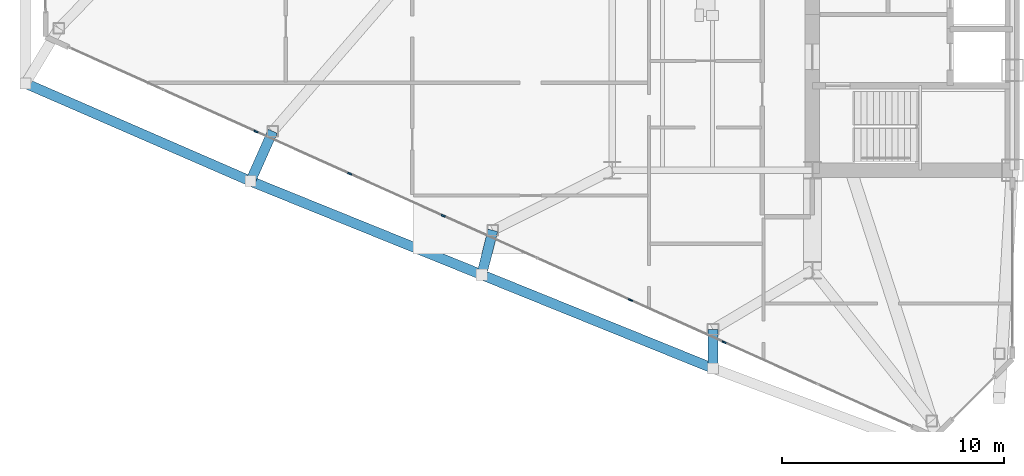
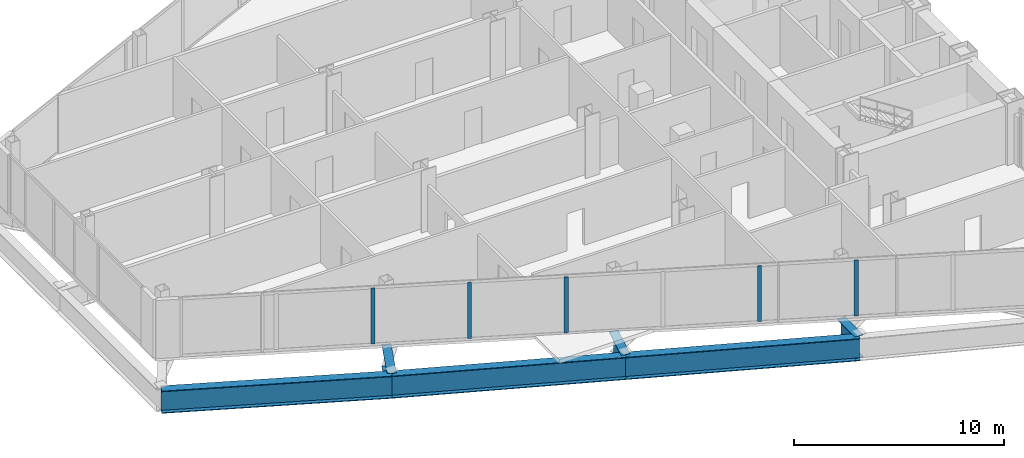
# One storey, part 3 of 29: 6 beams, 5 members, 1 element without a shape of its own.
"""IFC4 building model written with IfcOpenShell, lengths in metres."""

from ifc_helpers import new_model, si_unit, direction, frame, origin, origin_2d, place, context, subcontext, project, spatial, rectangle, i_section, extrude, source, transform, mapped, material, layer, layer_set, material_profile, profile_set, type_object, type_shapes, element, aggregate, save


model = new_model("IFC4")

# Units and contexts
model_context = context("Model", 3, precision=1e-05, world=origin(), true_north=direction((0.0, 1.0)))
body_context = subcontext(model_context, "Body", "Model", "MODEL_VIEW")
ifc_project = project(units=[si_unit("LENGTHUNIT", "METRE"), si_unit("AREAUNIT", "SQUARE_METRE"), si_unit("VOLUMEUNIT", "CUBIC_METRE"), si_unit("PLANEANGLEUNIT", "RADIAN"), si_unit("MASSUNIT", "GRAM", prefix="KILO")], contexts=[model_context])

# Site, building, storey
site_placement = place(None, origin())
site = spatial("IfcSite", under=ifc_project, at=site_placement, CompositionType="ELEMENT")
building_placement = place(site_placement, origin())
building = spatial("IfcBuilding", under=site, at=building_placement, Name="Seokmaru Belvedere", CompositionType="ELEMENT")
storey_placement = place(building_placement, frame((0.0, 0.0, 62.10009765625)))
storey = spatial("IfcBuildingStorey", under=building, at=storey_placement, Name="L16", CompositionType="ELEMENT", Elevation=62.10009765625)

# Beams
ifc_material_1 = material(Name="Steel HSA650 (650 MPa)", Category="steel")
ifc_material_profile_1 = material_profile(ifc_material_1, i_section(OverallWidth=0.449951171875, OverallDepth=1.300048828125, WebThickness=0.02197265625, FlangeThickness=0.0380859375, at=origin_2d()), Name="BH-1300x450x22x38")
ifc_profile_set_1 = profile_set([ifc_material_profile_1], Name="Steel HSA650 (650 MPa)")
beam_type = type_object("IfcBeamType", Name="Observatory Long-Span Roof Girder BH-1300", PredefinedType="BEAM", material=ifc_profile_set_1)
shared_shape_1 = source(origin(), body_context, "Body", "SweptSolid", [
    extrude(i_section(OverallWidth=0.449951171875, OverallDepth=1.300048828125, WebThickness=0.02197265625, FlangeThickness=0.0380859375, at=origin_2d()), origin(), (0.0, 0.0, 1.0), 11.220703125),
])
for number, where, z_axis, x_axis, name in (
    (1, (-40.977294921875, -22.4140625, -0.8701171875), (-0.926944290816, 0.375198989503, 0.0), (-0.375198989503, -0.926944290816, 0.0), "L16 W Faceted Flank Spandrel S-2"),
    (2, (-51.378173828125, -18.2041015625, -0.8701171875), (-0.926944290816, 0.375198989503, 0.0), (-0.375198989503, -0.926944290816, 0.0), "L16 W Faceted Flank Spandrel S-3"),
):
    element("IfcBeam", number, at=place(storey_placement, frame(where, z_axis=z_axis, x_axis=x_axis)), inside=storey, type_object=beam_type, Name=name, PredefinedType="BEAM", context=body_context, shape_type="MappedRepresentation", body=[
        mapped(shared_shape_1, transform((0.0, 0.0, 0.0), scale=1.0)),
    ])
shared_shape_2 = source(origin(), body_context, "Body", "SweptSolid", [
    extrude(i_section(OverallWidth=0.449951171875, OverallDepth=1.300048828125, WebThickness=0.02197265625, FlangeThickness=0.0380859375, at=origin_2d()), origin(), (0.0, 0.0, 1.0), 11.035400390625),
])
beam_1_placement = place(storey_placement, frame((-61.779052734375, -13.994140625, -0.8701171875), z_axis=(-0.917134058682, 0.398578873507, 0.0), x_axis=(-0.398578873507, -0.917134058682, 0.0)))
element("IfcBeam", 3, at=beam_1_placement, inside=storey, type_object=beam_type, Name="L16 W Faceted Flank Spandrel S-4", PredefinedType="BEAM", context=body_context, shape_type="MappedRepresentation", body=[
    mapped(shared_shape_2, transform((0.0, 0.0, 0.0), scale=1.0)),
])
shared_shape_3 = source(origin(), body_context, "Body", "SweptSolid", [
    extrude(i_section(OverallWidth=0.449951171875, OverallDepth=1.300048828125, WebThickness=0.02197265625, FlangeThickness=0.0380859375, at=origin_2d()), origin(), (0.0, 0.0, 1.0), 1.752685546875),
])
beam_2_placement = place(storey_placement, frame((-40.977294921875, -22.4140625, -0.8701171875), z_axis=(0.002646598894, 0.999996497751, 0.0), x_axis=(-0.999996497751, 0.002646598894, 0.0)))
element("IfcBeam", 4, at=beam_2_placement, inside=storey, type_object=beam_type, Name="L16 W Flank Setback Step Girder S-1", PredefinedType="BEAM", context=body_context, shape_type="MappedRepresentation", body=[
    mapped(shared_shape_3, transform((0.0, 0.0, 0.0), scale=1.0)),
])
shared_shape_4 = source(origin(), body_context, "Body", "SweptSolid", [
    extrude(i_section(OverallWidth=0.449951171875, OverallDepth=1.300048828125, WebThickness=0.02197265625, FlangeThickness=0.0380859375, at=origin_2d()), origin(), (0.0, 0.0, 1.0), 2.06103515625),
])
beam_3_placement = place(storey_placement, frame((-51.378173828125, -18.2041015625, -0.8701171875), z_axis=(0.244123913396, 0.96974404608, 0.0), x_axis=(-0.96974404608, 0.244123913396, 0.0)))
element("IfcBeam", 5, at=beam_3_placement, inside=storey, type_object=beam_type, Name="L16 W Flank Setback Step Girder S-2", PredefinedType="BEAM", context=body_context, shape_type="MappedRepresentation", body=[
    mapped(shared_shape_4, transform((0.0, 0.0, 0.0), scale=1.0)),
])
shared_shape_5 = source(origin(), body_context, "Body", "SweptSolid", [
    extrude(i_section(OverallWidth=0.449951171875, OverallDepth=1.300048828125, WebThickness=0.02197265625, FlangeThickness=0.0380859375, at=origin_2d()), origin(), (0.0, 0.0, 1.0), 2.4580078125),
])
type_shapes(beam_type, [shared_shape_1, shared_shape_2, shared_shape_3, shared_shape_4, shared_shape_5])
beam_4_placement = place(storey_placement, frame((-61.779052734375, -13.994140625, -0.8701171875), z_axis=(0.407409775642, 0.913245462464, 0.0), x_axis=(-0.913245462464, 0.407409775642, 0.0)))
element("IfcBeam", 6, at=beam_4_placement, inside=storey, type_object=beam_type, Name="L16 W Flank Setback Step Girder S-3", PredefinedType="BEAM", context=body_context, shape_type="MappedRepresentation", body=[
    mapped(shared_shape_5, transform((0.0, 0.0, 0.0), scale=1.0)),
])

# Curtain wall, members
ifc_material_2 = material(Name="Bronze Triple Insulating Glass", Category="glass")
ifc_layer = layer(ifc_material_2, 0.195068359375)
ifc_layer_set = layer_set([ifc_layer], Name="Bronze Triple Insulating Glass")
curtain_wall_type = type_object("IfcCurtainWallType", Name="Lower-Mid Tapered Curtain Wall System CW-3", PredefinedType="NOTDEFINED", material=ifc_layer_set)
curtain_wall_placement = place(storey_placement, origin())
curtain_wall = element("IfcCurtainWall", 7, at=curtain_wall_placement, inside=storey, type_object=curtain_wall_type, Name="L16 Curtain Wall WF5", PredefinedType="NOTDEFINED")
ifc_material_3 = material(Name="Anodised Bronze Aluminium", Category="aluminium")
ifc_material_profile_2 = material_profile(ifc_material_3, rectangle(XDim=0.070068359375, YDim=0.195068359375, at=origin_2d()), Name="CW-M-70x195")
ifc_profile_set_2 = profile_set([ifc_material_profile_2], Name="Anodised Bronze Aluminium")
member_type = type_object("IfcMemberType", Name="Bronze Unitised Mullion 70x195", PredefinedType="MULLION", material=ifc_profile_set_2)
shared_shape_6 = source(origin(), body_context, "Body", "SweptSolid", [
    extrude(rectangle(XDim=0.070068359375, YDim=0.195068359375, at=origin_2d()), origin(), (0.0, 0.0, 1.0), 3.239990234375),
])
type_shapes(member_type, [shared_shape_6])
member_1_placement = place(storey_placement, frame((-61.528564453125, -11.76220703125, 0.06982421875), z_axis=(0.0, 0.0, 1.0), x_axis=(0.41036554765, 0.91192111353, 0.0)))
member_1 = element("IfcMember", 8, at=member_1_placement, type_object=member_type, Name="CW:L16:WF5 Mullion 3", PredefinedType="MULLION", context=body_context, shape_type="MappedRepresentation", body=[
    mapped(shared_shape_6, transform((0.0, 0.0, 0.0), scale=1.0)),
])
member_2_placement = place(storey_placement, frame((-57.317138671875, -13.6572265625, 0.06982421875), z_axis=(0.0, 0.0, 1.0), x_axis=(0.41036554765, 0.91192111353, 0.0)))
member_2 = element("IfcMember", 9, at=member_2_placement, type_object=member_type, Name="CW:L16:WF5 Mullion 4", PredefinedType="MULLION", context=body_context, shape_type="MappedRepresentation", body=[
    mapped(shared_shape_6, transform((0.0, 0.0, 0.0), scale=1.0)),
])
member_3_placement = place(storey_placement, frame((-53.105712890625, -15.552490234375, 0.06982421875), z_axis=(0.0, 0.0, 1.0), x_axis=(0.41036554765, 0.91192111353, 0.0)))
member_3 = element("IfcMember", 10, at=member_3_placement, type_object=member_type, Name="CW:L16:WF5 Mullion 5", PredefinedType="MULLION", context=body_context, shape_type="MappedRepresentation", body=[
    mapped(shared_shape_6, transform((0.0, 0.0, 0.0), scale=1.0)),
])
member_4_placement = place(storey_placement, frame((-44.682861328125, -19.3427734375, 0.06982421875), z_axis=(0.0, 0.0, 1.0), x_axis=(0.41036554765, 0.91192111353, 0.0)))
member_4 = element("IfcMember", 11, at=member_4_placement, type_object=member_type, Name="CW:L16:WF5 Mullion 7", PredefinedType="MULLION", context=body_context, shape_type="MappedRepresentation", body=[
    mapped(shared_shape_6, transform((0.0, 0.0, 0.0), scale=1.0)),
])
member_5_placement = place(storey_placement, frame((-40.471435546875, -21.23779296875, 0.06982421875), z_axis=(0.0, 0.0, 1.0), x_axis=(0.41036554765, 0.91192111353, 0.0)))
member_5 = element("IfcMember", 12, at=member_5_placement, type_object=member_type, Name="CW:L16:WF5 Mullion 8", PredefinedType="MULLION", context=body_context, shape_type="MappedRepresentation", body=[
    mapped(shared_shape_6, transform((0.0, 0.0, 0.0), scale=1.0)),
])
aggregate(curtain_wall, [member_1, member_2, member_3, member_4, member_5])

save(model, "model.ifc")
